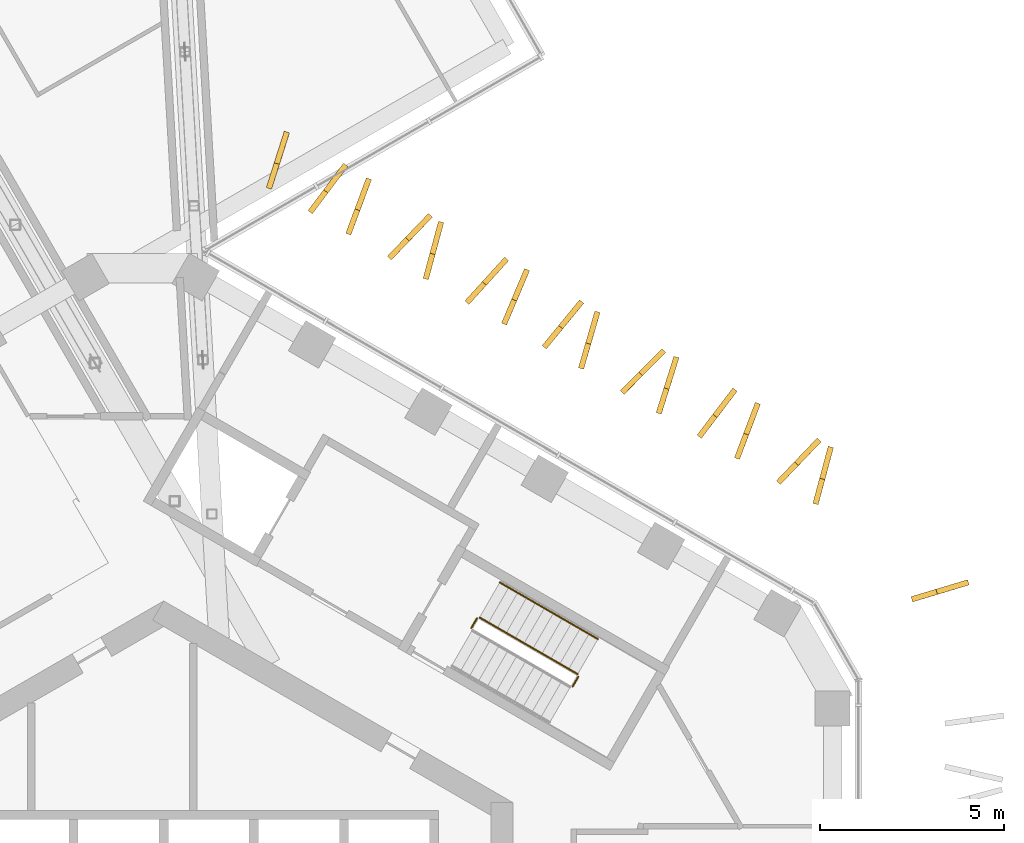
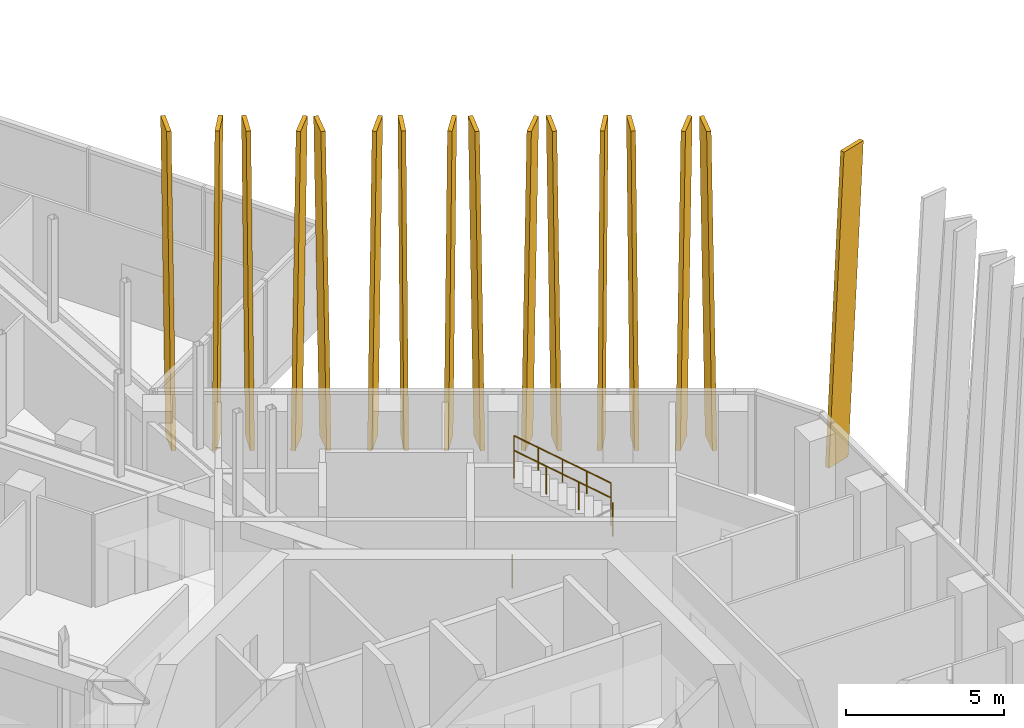
# One storey, part 29 of 29: 16 shading devices, 5 railings.
"""IFC4 building model written with IfcOpenShell, lengths in metres."""

from ifc_helpers import new_model, si_unit, direction, frame, origin, origin_2d, place, context, subcontext, project, spatial, polyline, circle, outline, extrude, material, layer, layer_set, type_object, element, save


model = new_model("IFC4")

# Units and contexts
model_context = context("Model", 3, precision=1e-05, world=origin(), true_north=direction((0.0, 1.0)))
body_context = subcontext(model_context, "Body", "Model", "MODEL_VIEW")
ifc_project = project(units=[si_unit("LENGTHUNIT", "METRE"), si_unit("AREAUNIT", "SQUARE_METRE"), si_unit("VOLUMEUNIT", "CUBIC_METRE"), si_unit("PLANEANGLEUNIT", "RADIAN"), si_unit("MASSUNIT", "GRAM", prefix="KILO")], contexts=[model_context])

# Site, building, storey
site_placement = place(None, origin())
site = spatial("IfcSite", under=ifc_project, at=site_placement, CompositionType="ELEMENT")
building_placement = place(site_placement, origin())
building = spatial("IfcBuilding", under=site, at=building_placement, Name="Ayvan Gate Tower", CompositionType="ELEMENT")
storey_placement = place(building_placement, frame((0.0, 0.0, 186.699951171875)))
storey = spatial("IfcBuildingStorey", under=building, at=storey_placement, Name="L50", CompositionType="ELEMENT", Elevation=186.699951171875)

# Shading devices
ifc_material_1 = material(Name="Bronze anodised aluminium", Category="aluminium")
ifc_layer = layer(ifc_material_1, 0.14990234375)
ifc_layer_set = layer_set([ifc_layer], Name="Bronze anodised aluminium")
shading_device_type = type_object("IfcShadingDeviceType", Name="Bronze fin 900 x 150", PredefinedType="USERDEFINED", material=ifc_layer_set)
shading_device_1_placement = place(storey_placement, frame((20.357421875, 10.94287109375, 0.0), z_axis=(0.287111469395, -0.957897169737, 0.000127871001), x_axis=(0.95789717757, 0.287111471739, -2.1589e-08)))
element("IfcShadingDevice", 1, at=shading_device_1_placement, inside=storey, type_object=shading_device_type, Name="Bronze fin FG18.8.64", ObjectType="FIN", PredefinedType="USERDEFINED", context=body_context, shape_type="SweptSolid", body=[
    extrude(outline(polyline([(0.0, 0.0), (0.9001603438173335, 0.0), (1.6071645769699054, 11.880127084948182), (0.7071679991940344, 11.880127046084407), (0.0, 0.0)])), origin(), (0.0, 0.0, -1.0), 0.14990234375),
])
shading_device_2_placement = place(storey_placement, frame((17.791259765625, 13.5859375, 0.0), z_axis=(0.965603964066, -0.260017249489, 0.000120616296), x_axis=(0.260017251382, 0.965603971089, -1.1542e-08)))
element("IfcShadingDevice", 2, at=shading_device_2_placement, inside=storey, type_object=shading_device_type, Name="Bronze fin FG18.9.65", ObjectType="FIN", PredefinedType="USERDEFINED", context=body_context, shape_type="SweptSolid", body=[
    extrude(outline(polyline([(0.0, 0.0), (0.9001237014535751, 0.0), (1.6071530560109941, 11.880127058091816), (0.7073285784886864, 11.880127037317617), (0.0, 0.0)])), origin(), (0.0, 0.0, -1.0), 0.14990234375),
])
shading_device_3_placement = place(storey_placement, frame((16.7646484375, 14.13671875, 0.0), z_axis=(0.722465102669, -0.691407376274, 0.000124335489), x_axis=(0.691407381617, 0.722465108255, 1.1658e-08)))
element("IfcShadingDevice", 3, at=shading_device_3_placement, inside=storey, type_object=shading_device_type, Name="Bronze fin FG18.9.66", ObjectType="FIN", PredefinedType="USERDEFINED", context=body_context, shape_type="SweptSolid", body=[
    extrude(outline(polyline([(0.0, 0.0), (0.9001573398760605, 2.0328790734103208e-20), (1.607120079782874, 11.880127026218645), (0.7071391229898835, 11.880127047204498), (0.0, 0.0)])), origin(), (0.0, 0.0, -1.0), 0.14990234375),
])
shading_device_4_placement = place(storey_placement, frame((15.653564453125, 14.8154296875, 0.0), z_axis=(0.935040935534, -0.354539745501, 0.000133175538), x_axis=(0.354539748645, 0.935040943826, 0.0)))
element("IfcShadingDevice", 4, at=shading_device_4_placement, inside=storey, type_object=shading_device_type, Name="Bronze fin FG18.9.67", ObjectType="FIN", PredefinedType="USERDEFINED", context=body_context, shape_type="SweptSolid", body=[
    extrude(outline(polyline([(0.0, 0.0), (0.9000169884879706, 6.776263578034403e-21), (1.6072633464172743, 11.88012705847633), (0.7072463579293038, 11.88012705847633), (0.0, 0.0)])), origin(), (0.0, 0.0, -1.0), 0.14990234375),
])
shading_device_5_placement = place(storey_placement, frame((14.6171875, 15.389892578125, 0.0), z_axis=(0.795879835916, -0.605454599102, 0.000123319215), x_axis=(0.605454603706, 0.795879841968, 0.0)))
element("IfcShadingDevice", 5, at=shading_device_5_placement, inside=storey, type_object=shading_device_type, Name="Bronze fin FG18.9.68", ObjectType="FIN", PredefinedType="USERDEFINED", context=body_context, shape_type="SweptSolid", body=[
    extrude(outline(polyline([(0.0, 0.0), (0.9000210282730167, 0.0), (1.607205270701288, 11.880127043459282), (0.7071842424282715, 11.880127043459282), (0.0, 0.0)])), origin(), (0.0, 0.0, -1.0), 0.14990234375),
])
shading_device_6_placement = place(storey_placement, frame((13.527587890625, 16.0458984375, 0.0), z_axis=(0.953504729777, -0.30137802412, 0.000129883437), x_axis=(0.301378026662, 0.95350473782, 0.0)))
element("IfcShadingDevice", 6, at=shading_device_6_placement, inside=storey, type_object=shading_device_type, Name="Bronze fin FG18.9.69", ObjectType="FIN", PredefinedType="USERDEFINED", context=body_context, shape_type="SweptSolid", body=[
    extrude(outline(polyline([(0.0, 0.0), (0.9000000344382386, 6.776263578034403e-21), (1.6072221644310665, 11.880127053332135), (0.707222129992828, 11.880127053332135), (0.0, 0.0)])), origin(), (0.0, 0.0, -1.0), 0.14990234375),
])
shading_device_7_placement = place(storey_placement, frame((12.51708984375, 16.58642578125, 0.0), z_axis=(0.707987820388, -0.70622463233, 0.000121955655), x_axis=(0.70622463758, 0.707987825654, 1.1712e-08)))
element("IfcShadingDevice", 7, at=shading_device_7_placement, inside=storey, type_object=shading_device_type, Name="Bronze fin FG18.9.70", ObjectType="FIN", PredefinedType="USERDEFINED", context=body_context, shape_type="SweptSolid", body=[
    extrude(outline(polyline([(0.0, 0.0), (0.8999391983835461, 1.3552527156068805e-20), (1.6072210005240588, 11.88012702264915), (0.7071093840161036, 11.880127043731031), (0.0, 0.0)])), origin(), (0.0, 0.0, -1.0), 0.14990234375),
])
shading_device_8_placement = place(storey_placement, frame((11.415771484375, 17.26611328125, 0.0), z_axis=(0.960145673554, -0.279500032937, 0.000130937362), x_axis=(0.279500035331, 0.960145681785, 1.705e-08)))
element("IfcShadingDevice", 8, at=shading_device_8_placement, inside=storey, type_object=shading_device_type, Name="Bronze fin FG18.9.71", ObjectType="FIN", PredefinedType="USERDEFINED", context=body_context, shape_type="SweptSolid", body=[
    extrude(outline(polyline([(0.0, 0.0), (0.9000978393332687, 0.0), (1.607325449312973, 11.880127027560281), (0.7071593726663912, 11.880127058254546), (0.0, 0.0)])), origin(), (0.0, 0.0, -1.0), 0.14990234375),
])
shading_device_9_placement = place(storey_placement, frame((10.402099609375, 17.8193359375, 0.0), z_axis=(0.772650205416, -0.634831980574, 0.000128497641), x_axis=(0.634831985815, 0.772650211795, 0.0)))
element("IfcShadingDevice", 9, at=shading_device_9_placement, inside=storey, type_object=shading_device_type, Name="Bronze fin FG18.9.72", ObjectType="FIN", PredefinedType="USERDEFINED", context=body_context, shape_type="SweptSolid", body=[
    extrude(outline(polyline([(0.0, 0.0), (0.899905920409672, 0.0), (1.6070747770571634, 11.880127051205216), (0.7071688566474913, 11.880127051205216), (0.0, 0.0)])), origin(), (0.0, 0.0, -1.0), 0.14990234375),
])
shading_device_10_placement = place(storey_placement, frame((9.3212890625, 18.46923828125, 0.0), z_axis=(0.920716197556, -0.390232837414, 0.000127126013), x_axis=(0.39023284057, 0.920716204995, -1.5875e-08)))
element("IfcShadingDevice", 10, at=shading_device_10_placement, inside=storey, type_object=shading_device_type, Name="Bronze fin FG18.9.73", ObjectType="FIN", PredefinedType="USERDEFINED", context=body_context, shape_type="SweptSolid", body=[
    extrude(outline(polyline([(0.0, 0.0), (0.9000136370443761, 0.0), (1.6070479367089572, 11.880127074634828), (0.707129571354173, 11.880127046060418), (0.0, 0.0)])), origin(), (0.0, 0.0, -1.0), 0.14990234375),
])
shading_device_11_placement = place(storey_placement, frame((8.297119140625, 19.028564453125, 0.0), z_axis=(0.73974978139, -0.672882043541, 0.000128116923), x_axis=(0.672882049065, 0.73974978746, -1.2854e-08)))
element("IfcShadingDevice", 11, at=shading_device_11_placement, inside=storey, type_object=shading_device_type, Name="Bronze fin FG18.9.74", ObjectType="FIN", PredefinedType="USERDEFINED", context=body_context, shape_type="SweptSolid", body=[
    extrude(outline(polyline([(0.0, 0.0), (0.9000776450517064, -6.776263578034403e-21), (1.6071882094055379, 11.880127071282876), (0.7072748421978414, 11.880127048146692), (0.0, 0.0)])), origin(), (0.0, 0.0, -1.0), 0.14990234375),
])
shading_device_12_placement = place(storey_placement, frame((7.1962890625, 19.703125, 0.0), z_axis=(0.965492535766, -0.260430692423, 0.000133508573), x_axis=(0.260430694744, 0.96549254437, 0.0)))
element("IfcShadingDevice", 12, at=shading_device_12_placement, inside=storey, type_object=shading_device_type, Name="Bronze fin FG18.9.75", ObjectType="FIN", PredefinedType="USERDEFINED", context=body_context, shape_type="SweptSolid", body=[
    extrude(outline(polyline([(0.0, 0.0), (0.8999515215744872, 0.0), (1.6070438796841953, 11.880127059003895), (0.7070923581097082, 11.880127059003895), (0.0, 0.0)])), origin(), (0.0, 0.0, -1.0), 0.14990234375),
])
shading_device_13_placement = place(storey_placement, frame((6.1904296875, 20.241455078125, 0.0), z_axis=(0.72073922677, -0.69320628303, 0.000127134733), x_axis=(0.693206288631, 0.720739232596, 1.2429e-08)))
element("IfcShadingDevice", 13, at=shading_device_13_placement, inside=storey, type_object=shading_device_type, Name="Bronze fin FG18.9.76", ObjectType="FIN", PredefinedType="USERDEFINED", context=body_context, shape_type="SweptSolid", body=[
    extrude(outline(polyline([(0.0, 0.0), (0.8999380391744638, 6.776263578034403e-21), (1.6072067114935713, 11.880127029159537), (0.7070994325025474, 11.880127051532488), (0.0, 0.0)])), origin(), (0.0, 0.0, -1.0), 0.14990234375),
])
shading_device_14_placement = place(storey_placement, frame((5.0888671875, 20.91552734375, 0.0), z_axis=(0.937062961982, -0.349160403031, 0.000135044036), x_axis=(0.349160406215, 0.937062970526, 0.0)))
element("IfcShadingDevice", 14, at=shading_device_14_placement, inside=storey, type_object=shading_device_type, Name="Bronze fin FG18.9.77", ObjectType="FIN", PredefinedType="USERDEFINED", context=body_context, shape_type="SweptSolid", body=[
    extrude(outline(polyline([(0.0, 0.0), (0.8998986677238572, -6.776263578034403e-21), (1.6069224070294719, 11.880127061453297), (0.7070237393056148, 11.880127061453297), (0.0, 0.0)])), origin(), (0.0, 0.0, -1.0), 0.14990234375),
])
shading_device_15_placement = place(storey_placement, frame((4.042236328125, 21.495849609375, 0.0), z_axis=(0.798973492606, -0.601366230897, 0.000120204752), x_axis=(0.601366235241, 0.798973498379, 9.803e-09)))
element("IfcShadingDevice", 15, at=shading_device_15_placement, inside=storey, type_object=shading_device_type, Name="Bronze fin FG18.9.78", ObjectType="FIN", PredefinedType="USERDEFINED", context=body_context, shape_type="SweptSolid", body=[
    extrude(outline(polyline([(0.0, 0.0), (0.9001476732797836, 0.0), (1.607128928987654, 11.880127023199453), (0.707176317597123, 11.880127040845755), (0.0, 0.0)])), origin(), (0.0, 0.0, -1.0), 0.14990234375),
])
shading_device_16_placement = place(storey_placement, frame((2.9326171875, 22.162841796875, 0.0), z_axis=(0.952804551709, -0.303584365992, 0.000137721075), x_axis=(0.303584368871, 0.952804560745, 0.0)))
element("IfcShadingDevice", 16, at=shading_device_16_placement, inside=storey, type_object=shading_device_type, Name="Bronze fin FG18.9.79", ObjectType="FIN", PredefinedType="USERDEFINED", context=body_context, shape_type="SweptSolid", body=[
    extrude(outline(polyline([(0.0, 0.0), (0.8998927065684628, 0.0), (1.6070888371356318, 11.880127065790745), (0.707196130567169, 11.880127065790745), (0.0, 0.0)])), origin(), (0.0, 0.0, -1.0), 0.14990234375),
])

# Railings
ifc_material_2 = material(Name="Stainless steel balustrade", Category="steel")
railing_type_1 = type_object("IfcRailingType", Name="RL-GUARD-1100", PredefinedType="GUARDRAIL", material=ifc_material_2)
railing_1_placement = place(storey_placement, frame((11.11669921875, 8.644775390625, 2.0)))
element("IfcRailing", 17, at=railing_1_placement, inside=storey, type_object=railing_type_1, Name="L50 STS1 stair guard 2", PredefinedType="GUARDRAIL", context=body_context, shape_type="SweptSolid", body=[
    extrude(circle(Radius=0.02392578125, at=origin_2d()), frame((0.0, 0.0, 1.076171875), z_axis=(0.499949632511, 0.866054481515, 0.0), x_axis=(-0.866054481515, 0.499949632511, 0.0)), (0.0, 0.0, 1.0), 0.31005859375),
    extrude(circle(Radius=0.02099609375, at=origin_2d()), origin(), (0.0, 0.0, 1.0), 1.052001953125),
    extrude(circle(Radius=0.02099609375, at=origin_2d()), frame((0.155029296875, 0.2685546875, 0.0)), (0.0, 0.0, 1.0), 1.052001953125),
])
railing_2_placement = place(storey_placement, frame((11.25341796875, 8.981689453125, 2.166748046875)))
element("IfcRailing", 18, at=railing_2_placement, inside=storey, type_object=railing_type_1, Name="L50 STS1 stair guard 3", PredefinedType="GUARDRAIL", context=body_context, shape_type="SweptSolid", body=[
    extrude(circle(Radius=0.02392578125, at=origin_2d()), frame((0.0, 0.0, 1.076171875), z_axis=(-0.74418122563, 0.429615651263, 0.511492615401), x_axis=(-0.499967199496, -0.866044340336, 0.0)), (0.0, 0.0, 1.0), 3.584228515625),
    extrude(circle(Radius=0.02099609375, at=origin_2d()), origin(), (0.0, 0.0, 1.0), 1.052001953125),
    extrude(circle(Radius=0.02099609375, at=origin_2d()), frame((-0.88916015625, 0.51318359375, 0.611083984375)), (0.0, 0.0, 1.0), 1.052001953125),
    extrude(circle(Radius=0.02099609375, at=origin_2d()), frame((-1.778076171875, 1.026611328125, 1.22216796875)), (0.0, 0.0, 1.0), 1.052001953125),
    extrude(circle(Radius=0.02099609375, at=origin_2d()), frame((-2.667236328125, 1.539794921875, 1.833251953125)), (0.0, 0.0, 1.0), 1.052001953125),
])
railing_3_placement = place(storey_placement, frame((8.36279296875, 10.23486328125, 0.0)))
element("IfcRailing", 19, at=railing_3_placement, inside=storey, type_object=railing_type_1, Name="L50 STS1 stair guard 4", PredefinedType="GUARDRAIL", context=body_context, shape_type="SweptSolid", body=[
    extrude(circle(Radius=0.02392578125, at=origin_2d()), frame((0.0, 0.0, 1.076171875), z_axis=(0.500290723946, 0.86585748916, 0.0), x_axis=(-0.86585748916, 0.500290723946, 0.0)), (0.0, 0.0, 1.0), 0.309814453125),
    extrude(circle(Radius=0.02099609375, at=origin_2d()), origin(), (0.0, 0.0, 1.0), 1.052001953125),
    extrude(circle(Radius=0.02099609375, at=origin_2d()), frame((0.155029296875, 0.268310546875, 0.0)), (0.0, 0.0, 1.0), 1.052001953125),
])
railing_type_2 = type_object("IfcRailingType", Name="RL-HANDRAIL-900", PredefinedType="HANDRAIL", material=ifc_material_2)
railing_4_placement = place(storey_placement, frame((11.803466796875, 9.93408203125, 2.166748046875)))
element("IfcRailing", 20, at=railing_4_placement, inside=storey, type_object=railing_type_2, Name="L50 STS1 stair handrail 3", PredefinedType="HANDRAIL", context=body_context, shape_type="SweptSolid", body=[
    extrude(circle(Radius=0.02392578125, at=origin_2d()), frame((0.0, 0.0, 0.8759765625), z_axis=(-0.7441639146, 0.429634447492, 0.511502013422), x_axis=(-0.499992328818, -0.866029832698, 0.0)), (0.0, 0.0, 1.0), 1.792236328125),
    extrude(circle(Radius=0.02099609375, at=origin_2d()), origin(), (0.0, 0.0, 1.0), 0.851806640625),
    extrude(circle(Radius=0.02099609375, at=origin_2d()), frame((-0.6669921875, 0.385009765625, 0.45849609375)), (0.0, 0.0, 1.0), 0.851806640625),
    extrude(circle(Radius=0.02099609375, at=origin_2d()), frame((-1.333740234375, 0.77001953125, 0.916748046875)), (0.0, 0.0, 1.0), 0.851806640625),
])
railing_5_placement = place(storey_placement, frame((10.4697265625, 10.7041015625, 3.08349609375)))
element("IfcRailing", 21, at=railing_5_placement, inside=storey, type_object=railing_type_2, Name="L50 STS1 stair handrail 4", PredefinedType="HANDRAIL", context=body_context, shape_type="SweptSolid", body=[
    extrude(circle(Radius=0.02392578125, at=origin_2d()), frame((0.0, 0.0, 0.8759765625), z_axis=(-0.744215763664, 0.42966438195, 0.511401423539), x_axis=(-0.499992328818, -0.866029832698, 0.0)), (0.0, 0.0, 1.0), 1.792236328125),
    extrude(circle(Radius=0.02099609375, at=origin_2d()), origin(), (0.0, 0.0, 1.0), 0.851806640625),
    extrude(circle(Radius=0.02099609375, at=origin_2d()), frame((-0.6669921875, 0.385009765625, 0.458251953125)), (0.0, 0.0, 1.0), 0.851806640625),
    extrude(circle(Radius=0.02099609375, at=origin_2d()), frame((-1.333740234375, 0.77001953125, 0.91650390625)), (0.0, 0.0, 1.0), 0.851806640625),
])

save(model, "model.ifc")
